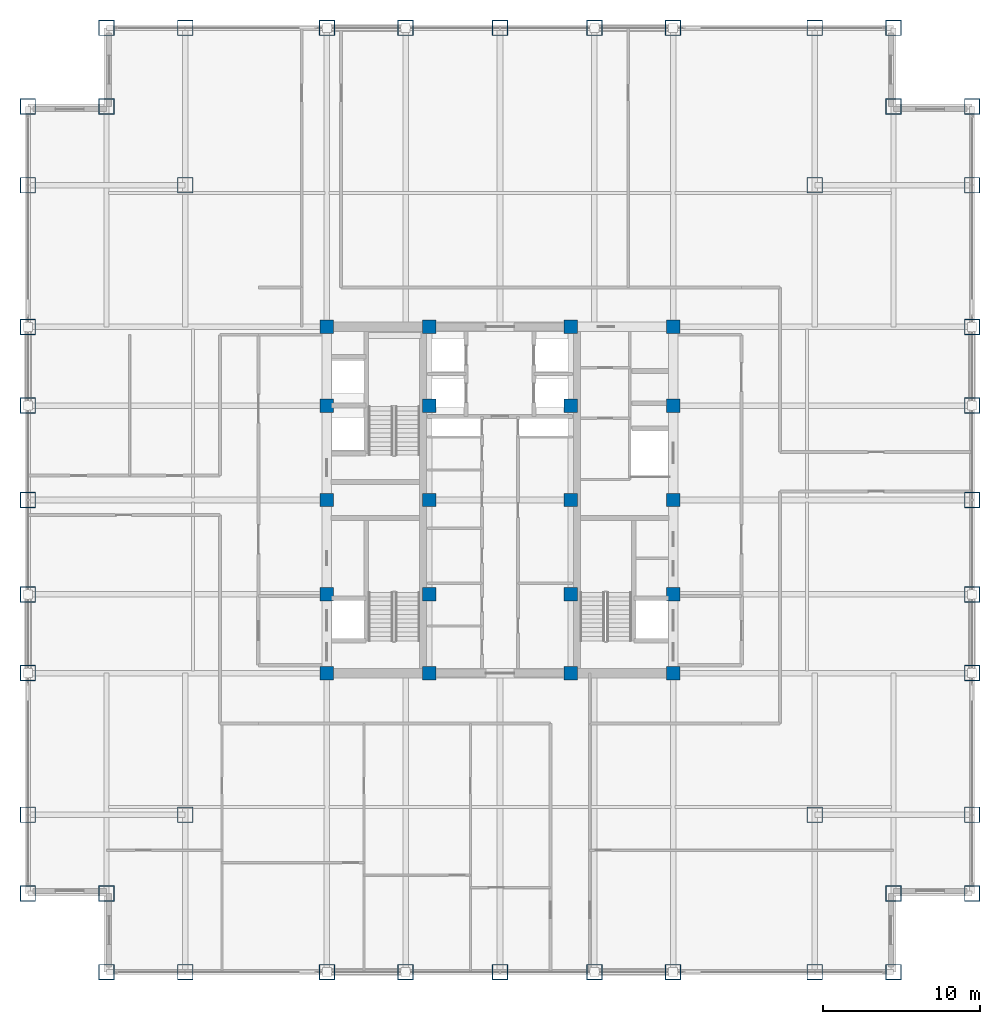
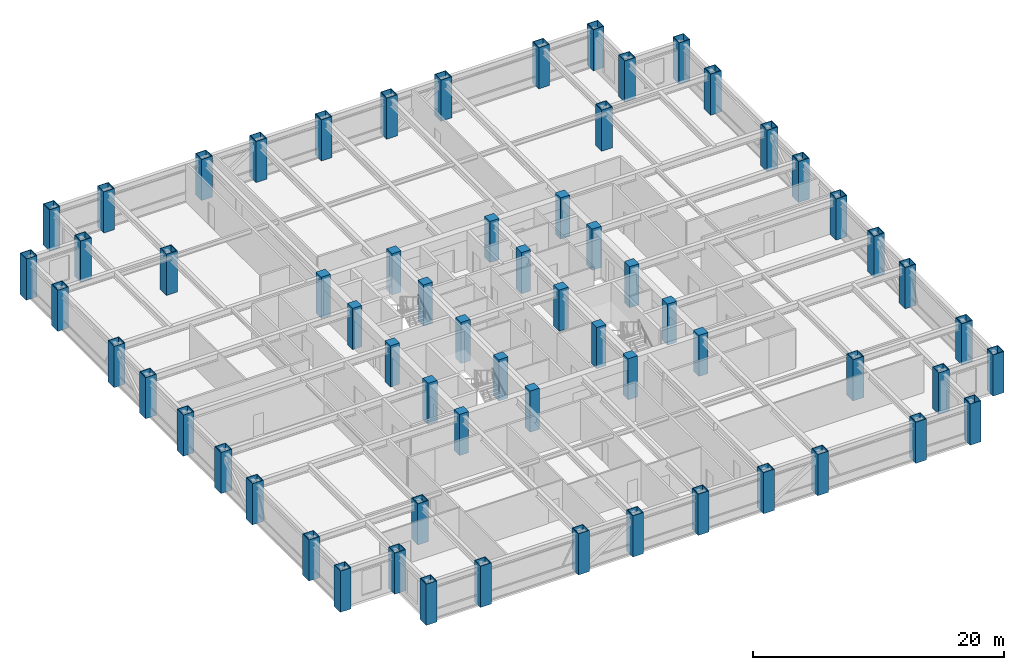
# One storey, part 1 of 24: 64 columns.
"""IFC4 building model written with IfcOpenShell, lengths in metres."""

import ifcopenshell
import ifcopenshell.guid

model = None  # the IFC model being written
_history = None  # IfcOwnerHistory: only IFC2X3 demands one
_inside = {}  # id of a spatial element -> (the spatial element, [elements in it])
_under = {}  # id of a project, library or spatial element -> (it, [spatial elements below it])
_declared = {}  # id of a project -> (the project, [libraries it declares])
_typed = {}  # id of a type object -> (the type object, [elements of that type])
_made_of = {}  # id of a material, layer set ... -> (it, [elements and type objects made of it])


def new_model(schema):
    """Start an empty IFC model of exactly this schema.

    Asked for "IFC4X3", IfcOpenShell would pick the latest addendum, in which some entities
    have other attributes; the version numbers below select the first issue.
    IFC2X3 requires an IfcOwnerHistory on every rooted entity: one is made here for all.
    """
    global model, _history
    if schema == "IFC4X3":
        model = ifcopenshell.file(schema_version=(4, 3, 0, 0))
    else:
        model = ifcopenshell.file(schema=schema)
    _inside.clear()
    _under.clear()
    _declared.clear()
    _typed.clear()
    _made_of.clear()
    _history = None
    if model.schema == "IFC2X3":
        org = make("IfcOrganization", Name="unknown")
        user = make(
            "IfcPersonAndOrganization",
            ThePerson=make("IfcPerson", FamilyName="unknown"),
            TheOrganization=org,
        )
        app = make(
            "IfcApplication",
            ApplicationDeveloper=org,
            Version="unknown",
            ApplicationFullName="unknown",
            ApplicationIdentifier="unknown",
        )
        _history = make(
            "IfcOwnerHistory",
            OwningUser=user,
            OwningApplication=app,
            ChangeAction="ADDED",
            CreationDate=0,
        )
    return model


def make(cls, **values):
    """One entity of the class cls with the attributes given. An attribute that is None is left unset."""
    return model.create_entity(
        cls, **{name: value for name, value in values.items() if value is not None}
    )


def rooted(cls, **values):
    """An entity with a GlobalId (a new one), such as an element, a storey or a relation."""
    return make(cls, GlobalId=ifcopenshell.guid.new(), OwnerHistory=_history, **values)


def si_unit(unit_type, name, prefix=None):
    """IfcSIUnit, for example si_unit("LENGTHUNIT", "METRE", prefix="MILLI")."""
    return make("IfcSIUnit", UnitType=unit_type, Prefix=prefix, Name=name)


def assignment(units):
    """IfcUnitAssignment: the units of a project."""
    return None if units is None else make("IfcUnitAssignment", Units=units)


def point(xyz):
    """IfcCartesianPoint."""
    return None if xyz is None else make("IfcCartesianPoint", Coordinates=xyz)


def direction(xyz):
    """IfcDirection."""
    return None if xyz is None else make("IfcDirection", DirectionRatios=xyz)


def frame(location, z_axis=None, x_axis=None):
    """IfcAxis2Placement3D, a coordinate frame: its origin and axes. An axis left out is left unset."""
    return make(
        "IfcAxis2Placement3D",
        Location=point(location),
        Axis=direction(z_axis),
        RefDirection=direction(x_axis),
    )


def frame_2d(location, x_axis=None):
    """IfcAxis2Placement2D, a coordinate frame in the plane: its origin and x axis."""
    return make(
        "IfcAxis2Placement2D", Location=point(location), RefDirection=direction(x_axis)
    )


def origin():
    """The frame at (0, 0, 0) with its axes left unset."""
    return frame((0.0, 0.0, 0.0))


def origin_2d():
    """The frame at (0, 0) in the plane with its x axis left unset."""
    return frame_2d((0.0, 0.0))


def place(relative_to, where):
    """IfcLocalPlacement: puts the frame where relative to a parent placement (None: the world)."""
    return make(
        "IfcLocalPlacement", PlacementRelTo=relative_to, RelativePlacement=where
    )


def context(
    kind, dimensions, precision=None, world=None, true_north=None, identifier=None
):
    """IfcGeometricRepresentationContext, for example the 3D "Model" context."""
    return make(
        "IfcGeometricRepresentationContext",
        ContextIdentifier=identifier,
        ContextType=kind,
        CoordinateSpaceDimension=dimensions,
        Precision=precision,
        WorldCoordinateSystem=world,
        TrueNorth=true_north,
    )


def subcontext(parent, identifier, kind, view, scale=None):
    """IfcGeometricRepresentationSubContext, for example "Body" below "Model"."""
    return make(
        "IfcGeometricRepresentationSubContext",
        ContextIdentifier=identifier,
        ContextType=kind,
        ParentContext=parent,
        TargetScale=scale,
        TargetView=view,
    )


def project(units=None, contexts=None):
    """IfcProject with its units and contexts."""
    return rooted(
        "IfcProject",
        Name="project",
        RepresentationContexts=contexts,
        UnitsInContext=assignment(units),
    )


def spatial(cls, under=None, at=None, **own):
    """A site, building, storey or space (cls), placed at a placement, below another one or the project."""
    s = rooted(cls, ObjectPlacement=at, **own)
    if under is not None:
        _under.setdefault(under.id(), (under, []))[1].append(s)
    return s


def profile(cls, at=None, kind="AREA", **sizes):
    """A parametric profile (cls). Its sizes go by their IFC names, for example OverallWidth=200.0."""
    return make(cls, ProfileType=kind, Position=at, **sizes)


def rectangle(**sizes):
    """IfcRectangleProfileDef."""
    return profile("IfcRectangleProfileDef", **sizes)


def hollow_rectangle(**sizes):
    """IfcRectangleHollowProfileDef."""
    return profile("IfcRectangleHollowProfileDef", **sizes)


def extrude(swept, where, along, depth):
    """IfcExtrudedAreaSolid: the profile swept, set in the frame where, extruded along a direction by depth."""
    return make(
        "IfcExtrudedAreaSolid",
        SweptArea=swept,
        Position=where,
        ExtrudedDirection=direction(along),
        Depth=depth,
    )


def shape(context_of_items, identifier, shape_type, items):
    """IfcShapeRepresentation: the items that make up one representation, for example the "Body"."""
    return make(
        "IfcShapeRepresentation",
        ContextOfItems=context_of_items,
        RepresentationIdentifier=identifier,
        RepresentationType=shape_type,
        Items=items,
    )


def source(mapping_origin, context_of_items, identifier, shape_type, items):
    """IfcRepresentationMap: a shape defined once, which mapped items show again and again."""
    return make(
        "IfcRepresentationMap",
        MappingOrigin=mapping_origin,
        MappedRepresentation=shape(context_of_items, identifier, shape_type, items),
    )


def transform(
    local_origin,
    x_axis=None,
    y_axis=None,
    z_axis=None,
    scale=None,
    scale2=None,
    scale3=None,
    uniform=True,
):
    """IfcCartesianTransformationOperator3D, or its non-uniform kind. x_axis, y_axis, z_axis: its Axis1, 2, 3."""
    if uniform:
        return make(
            "IfcCartesianTransformationOperator3D",
            Axis1=direction(x_axis),
            Axis2=direction(y_axis),
            LocalOrigin=point(local_origin),
            Scale=scale,
            Axis3=direction(z_axis),
        )
    return make(
        "IfcCartesianTransformationOperator3DnonUniform",
        Axis1=direction(x_axis),
        Axis2=direction(y_axis),
        LocalOrigin=point(local_origin),
        Scale=scale,
        Axis3=direction(z_axis),
        Scale2=scale2,
        Scale3=scale3,
    )


def mapped(mapping_source, mapping_target):
    """IfcMappedItem: shows the shape of a source again, moved by a transform."""
    return make(
        "IfcMappedItem", MappingSource=mapping_source, MappingTarget=mapping_target
    )


def material(Name=None, Category=None):
    """IfcMaterial."""
    return make("IfcMaterial", Name=Name, Category=Category)


def material_profile(
    of_material, cross_section, Name=None, Category=None, Priority=None
):
    """IfcMaterialProfile: a cross section and its material."""
    return make(
        "IfcMaterialProfile",
        Name=Name,
        Material=of_material,
        Profile=cross_section,
        Priority=Priority,
        Category=Category,
    )


def profile_set(profiles, Name=None, composite=None):
    """IfcMaterialProfileSet."""
    return make(
        "IfcMaterialProfileSet",
        Name=Name,
        MaterialProfiles=profiles,
        CompositeProfile=composite,
    )


def made_of(thing, what):
    """Note that an element or type object is made of a material, layer set ...; save() writes the relation."""
    if what is not None:
        _made_of.setdefault(what.id(), (what, []))[1].append(thing)
    return thing


def type_object(cls, material=None, **own):
    """A type object (cls), such as IfcWallType, which elements share."""
    return made_of(rooted(cls, **own), material)


def element(
    cls,
    number,
    at=None,
    inside=None,
    cuts=None,
    type_object=None,
    material=None,
    context=None,
    identifier="Body",
    shape_type=None,
    held_by="IfcProductDefinitionShape",
    body=None,
    shapes=None,
    **own,
):
    """One element of the class cls, such as IfcWall. Its Tag is "e" and its number.

    at: its placement. inside: the storey or other place that contains it. cuts: it is an
    opening in that element (IfcRelVoidsElement). A single representation is given by context,
    identifier, shape_type and body (its items); several are given by shapes. held_by: the class
    of the entity that holds the representations. save() writes the other relations.
    """
    e = rooted(cls, Tag="e%d" % number, ObjectPlacement=at, **own)
    if body is not None:
        shapes = [shape(context, identifier, shape_type, body)]
    if shapes is not None:
        e.Representation = make(held_by, Representations=shapes)
    if inside is not None:
        _inside.setdefault(inside.id(), (inside, []))[1].append(e)
    if cuts is not None:
        rooted(
            "IfcRelVoidsElement", RelatingBuildingElement=cuts, RelatedOpeningElement=e
        )
    if type_object is not None:
        _typed.setdefault(type_object.id(), (type_object, []))[1].append(e)
    return made_of(e, material)


def aggregate(whole, parts):
    """IfcRelAggregates: a whole, such as a stair, and the parts it consists of."""
    return rooted("IfcRelAggregates", RelatingObject=whole, RelatedObjects=parts)


def save(model, path):
    """Write the relations noted so far, then the file.

    IfcRelAggregates (storeys below a building ...), IfcRelContainedInSpatialStructure (elements
    in a storey), IfcRelDefinesByType, IfcRelAssociatesMaterial and IfcRelDeclares: one each for
    every whole, place, type object, material and project.
    """
    for whole, parts in _under.values():
        aggregate(whole, parts)
    for where, things in _inside.values():
        rooted(
            "IfcRelContainedInSpatialStructure",
            RelatedElements=things,
            RelatingStructure=where,
        )
    for kind, things in _typed.values():
        rooted("IfcRelDefinesByType", RelatedObjects=things, RelatingType=kind)
    for what, things in _made_of.values():
        rooted("IfcRelAssociatesMaterial", RelatedObjects=things, RelatingMaterial=what)
    for by, libraries in _declared.values():
        rooted("IfcRelDeclares", RelatingContext=by, RelatedDefinitions=libraries)
    model.write(path)


model = new_model("IFC4")

# Units and contexts
model_context = context("Model", 3, precision=1e-05, world=origin(), true_north=direction((0.0, 1.0)))
body_context = subcontext(model_context, "Body", "Model", "MODEL_VIEW")
ifc_project = project(units=[si_unit("LENGTHUNIT", "METRE"), si_unit("AREAUNIT", "SQUARE_METRE"), si_unit("VOLUMEUNIT", "CUBIC_METRE"), si_unit("PLANEANGLEUNIT", "RADIAN"), si_unit("MASSUNIT", "GRAM", prefix="KILO")], contexts=[model_context])

# Site, building, storey
site_placement = place(None, origin())
site = spatial("IfcSite", under=ifc_project, at=site_placement, CompositionType="ELEMENT")
building_placement = place(site_placement, origin())
building = spatial("IfcBuilding", under=site, at=building_placement, Name="Khorayat Bourse Tower", CompositionType="ELEMENT")
storey_placement = place(building_placement, frame((0.0, 0.0, 219.10009765625)))
storey = spatial("IfcBuildingStorey", under=building, at=storey_placement, Name="L51", CompositionType="ELEMENT", Elevation=219.10009765625)

# Columns
ifc_material_1 = material(Name="Concrete C60/75", Category="concrete")
ifc_material_profile_1 = material_profile(ifc_material_1, rectangle(XDim=0.85009765625, YDim=0.85009765625, at=origin_2d()), Name="RC 850x850")
ifc_profile_set_1 = profile_set([ifc_material_profile_1], Name="Concrete C60/75")
column_type_1 = type_object("IfcColumnType", Name="COL-CORE-850", PredefinedType="COLUMN", material=ifc_profile_set_1)
shared_shape_1 = source(origin(), body_context, "Body", "SweptSolid", [
    extrude(rectangle(XDim=0.85009765625, YDim=0.85009765625, at=origin_2d()), origin(), (0.0, 0.0, 1.0), 4.0),
])
for number, where, z_axis, x_axis, name in (
    (1, (-11.0, -11.0, 0.0), (0.0, 0.0, 1.0), (1.0, 0.0, 0.0), "L51 Column 019"),
    (2, (-11.0, -6.0, 0.0), (0.0, 0.0, 1.0), (1.0, 0.0, 0.0), "L51 Column 020"),
    (3, (-11.0, 0.0, 0.0), (0.0, 0.0, 1.0), (1.0, 0.0, 0.0), "L51 Column 021"),
    (4, (-11.0, 6.0, 0.0), (0.0, 0.0, 1.0), (1.0, 0.0, 0.0), "L51 Column 022"),
    (5, (-11.0, 11.0, 0.0), (0.0, 0.0, 1.0), (1.0, 0.0, 0.0), "L51 Column 023"),
    (6, (-4.5, -11.0, 0.0), (0.0, 0.0, 1.0), (1.0, 0.0, 0.0), "L51 Column 027"),
    (7, (-4.5, -6.0, 0.0), (0.0, 0.0, 1.0), (1.0, 0.0, 0.0), "L51 Column 028"),
    (8, (-4.5, 0.0, 0.0), (0.0, 0.0, 1.0), (1.0, 0.0, 0.0), "L51 Column 029"),
    (9, (-4.5, 6.0, 0.0), (0.0, 0.0, 1.0), (1.0, 0.0, 0.0), "L51 Column 030"),
    (10, (-4.5, 11.0, 0.0), (0.0, 0.0, 1.0), (1.0, 0.0, 0.0), "L51 Column 031"),
    (11, (4.5, -11.0, 0.0), (0.0, 0.0, 1.0), (1.0, 0.0, 0.0), "L51 Column 034"),
    (12, (4.5, -6.0, 0.0), (0.0, 0.0, 1.0), (1.0, 0.0, 0.0), "L51 Column 035"),
    (13, (4.5, 0.0, 0.0), (0.0, 0.0, 1.0), (1.0, 0.0, 0.0), "L51 Column 036"),
    (14, (4.5, 6.0, 0.0), (0.0, 0.0, 1.0), (1.0, 0.0, 0.0), "L51 Column 037"),
    (15, (4.5, 11.0, 0.0), (0.0, 0.0, 1.0), (1.0, 0.0, 0.0), "L51 Column 038"),
    (16, (11.0, -11.0, 0.0), (0.0, 0.0, 1.0), (1.0, 0.0, 0.0), "L51 Column 042"),
    (17, (11.0, -6.0, 0.0), (0.0, 0.0, 1.0), (1.0, 0.0, 0.0), "L51 Column 043"),
    (18, (11.0, 0.0, 0.0), (0.0, 0.0, 1.0), (1.0, 0.0, 0.0), "L51 Column 044"),
    (19, (11.0, 6.0, 0.0), (0.0, 0.0, 1.0), (1.0, 0.0, 0.0), "L51 Column 045"),
    (20, (11.0, 11.0, 0.0), (0.0, 0.0, 1.0), (1.0, 0.0, 0.0), "L51 Column 046"),
):
    element("IfcColumn", number, at=place(storey_placement, frame(where, z_axis=z_axis, x_axis=x_axis)), inside=storey, type_object=column_type_1, Name=name, PredefinedType="COLUMN", context=body_context, shape_type="MappedRepresentation", body=[
        mapped(shared_shape_1, transform((0.0, 0.0, 0.0), scale=1.0)),
    ])
ifc_material_2 = material(Name="Steel EN 10025-4 S460M", Category="steel")
ifc_material_profile_2 = material_profile(ifc_material_2, hollow_rectangle(XDim=1.0, YDim=1.0, WallThickness=0.054931640625, at=origin_2d()), Name="BOX 1000x1000x55")
ifc_profile_set_2 = profile_set([ifc_material_profile_2], Name="Steel EN 10025-4 S460M")
column_type_2 = type_object("IfcColumnType", Name="COL-TUBE-1000", PredefinedType="COLUMN", material=ifc_profile_set_2)
shared_shape_2 = source(origin(), body_context, "Body", "SweptSolid", [
    extrude(hollow_rectangle(XDim=1.0, YDim=1.0, WallThickness=0.054931640625, at=origin_2d()), origin(), (0.0, 0.0, 1.0), 4.0),
])
for number, where, z_axis, x_axis, name in (
    (21, (-30.0, -25.0, 0.0), (0.0, 0.0, 1.0), (1.0, 0.0, 0.0), "L51 Column 001"),
    (22, (-30.0, -20.0, 0.0), (0.0, 0.0, 1.0), (1.0, 0.0, 0.0), "L51 Column 002"),
    (23, (-30.0, -11.0, 0.0), (0.0, 0.0, 1.0), (1.0, 0.0, 0.0), "L51 Column 003"),
    (24, (-30.0, -6.0, 0.0), (0.0, 0.0, 1.0), (1.0, 0.0, 0.0), "L51 Column 004"),
    (25, (-30.0, 0.0, 0.0), (0.0, 0.0, 1.0), (1.0, 0.0, 0.0), "L51 Column 005"),
    (26, (-30.0, 6.0, 0.0), (0.0, 0.0, 1.0), (1.0, 0.0, 0.0), "L51 Column 006"),
    (27, (-30.0, 11.0, 0.0), (0.0, 0.0, 1.0), (1.0, 0.0, 0.0), "L51 Column 007"),
    (28, (-30.0, 20.0, 0.0), (0.0, 0.0, 1.0), (1.0, 0.0, 0.0), "L51 Column 008"),
    (29, (-30.0, 25.0, 0.0), (0.0, 0.0, 1.0), (1.0, 0.0, 0.0), "L51 Column 009"),
    (30, (-25.0, -30.0, 0.0), (0.0, 0.0, 1.0), (1.0, 0.0, 0.0), "L51 Column 010"),
    (31, (-25.0, -25.0, 0.0), (0.0, 0.0, 1.0), (1.0, 0.0, 0.0), "L51 Column 011"),
    (32, (-25.0, 25.0, 0.0), (0.0, 0.0, 1.0), (1.0, 0.0, 0.0), "L51 Column 012"),
    (33, (-25.0, 30.0, 0.0), (0.0, 0.0, 1.0), (1.0, 0.0, 0.0), "L51 Column 013"),
    (34, (-20.0, -30.0, 0.0), (0.0, 0.0, 1.0), (1.0, 0.0, 0.0), "L51 Column 014"),
    (35, (-20.0, -20.0, 0.0), (0.0, 0.0, 1.0), (1.0, 0.0, 0.0), "L51 Column 015"),
    (36, (-20.0, 20.0, 0.0), (0.0, 0.0, 1.0), (1.0, 0.0, 0.0), "L51 Column 016"),
    (37, (-20.0, 30.0, 0.0), (0.0, 0.0, 1.0), (1.0, 0.0, 0.0), "L51 Column 017"),
    (38, (-11.0, -30.0, 0.0), (0.0, 0.0, 1.0), (1.0, 0.0, 0.0), "L51 Column 018"),
    (39, (-11.0, 30.0, 0.0), (0.0, 0.0, 1.0), (1.0, 0.0, 0.0), "L51 Column 024"),
    (40, (-6.0, -30.0, 0.0), (0.0, 0.0, 1.0), (1.0, 0.0, 0.0), "L51 Column 025"),
    (41, (-6.0, 30.0, 0.0), (0.0, 0.0, 1.0), (1.0, 0.0, 0.0), "L51 Column 026"),
    (42, (0.0, -30.0, 0.0), (0.0, 0.0, 1.0), (1.0, 0.0, 0.0), "L51 Column 032"),
    (43, (0.0, 30.0, 0.0), (0.0, 0.0, 1.0), (1.0, 0.0, 0.0), "L51 Column 033"),
    (44, (6.0, -30.0, 0.0), (0.0, 0.0, 1.0), (1.0, 0.0, 0.0), "L51 Column 039"),
    (45, (6.0, 30.0, 0.0), (0.0, 0.0, 1.0), (1.0, 0.0, 0.0), "L51 Column 040"),
    (46, (11.0, -30.0, 0.0), (0.0, 0.0, 1.0), (1.0, 0.0, 0.0), "L51 Column 041"),
    (47, (11.0, 30.0, 0.0), (0.0, 0.0, 1.0), (1.0, 0.0, 0.0), "L51 Column 047"),
    (48, (20.0, -30.0, 0.0), (0.0, 0.0, 1.0), (1.0, 0.0, 0.0), "L51 Column 048"),
    (49, (20.0, -20.0, 0.0), (0.0, 0.0, 1.0), (1.0, 0.0, 0.0), "L51 Column 049"),
    (50, (20.0, 20.0, 0.0), (0.0, 0.0, 1.0), (1.0, 0.0, 0.0), "L51 Column 050"),
    (51, (20.0, 30.0, 0.0), (0.0, 0.0, 1.0), (1.0, 0.0, 0.0), "L51 Column 051"),
    (52, (25.0, -30.0, 0.0), (0.0, 0.0, 1.0), (1.0, 0.0, 0.0), "L51 Column 052"),
    (53, (25.0, -25.0, 0.0), (0.0, 0.0, 1.0), (1.0, 0.0, 0.0), "L51 Column 053"),
    (54, (25.0, 25.0, 0.0), (0.0, 0.0, 1.0), (1.0, 0.0, 0.0), "L51 Column 054"),
    (55, (25.0, 30.0, 0.0), (0.0, 0.0, 1.0), (1.0, 0.0, 0.0), "L51 Column 055"),
    (56, (30.0, -25.0, 0.0), (0.0, 0.0, 1.0), (1.0, 0.0, 0.0), "L51 Column 056"),
    (57, (30.0, -20.0, 0.0), (0.0, 0.0, 1.0), (1.0, 0.0, 0.0), "L51 Column 057"),
    (58, (30.0, -11.0, 0.0), (0.0, 0.0, 1.0), (1.0, 0.0, 0.0), "L51 Column 058"),
    (59, (30.0, -6.0, 0.0), (0.0, 0.0, 1.0), (1.0, 0.0, 0.0), "L51 Column 059"),
    (60, (30.0, 0.0, 0.0), (0.0, 0.0, 1.0), (1.0, 0.0, 0.0), "L51 Column 060"),
    (61, (30.0, 6.0, 0.0), (0.0, 0.0, 1.0), (1.0, 0.0, 0.0), "L51 Column 061"),
    (62, (30.0, 11.0, 0.0), (0.0, 0.0, 1.0), (1.0, 0.0, 0.0), "L51 Column 062"),
    (63, (30.0, 20.0, 0.0), (0.0, 0.0, 1.0), (1.0, 0.0, 0.0), "L51 Column 063"),
    (64, (30.0, 25.0, 0.0), (0.0, 0.0, 1.0), (1.0, 0.0, 0.0), "L51 Column 064"),
):
    element("IfcColumn", number, at=place(storey_placement, frame(where, z_axis=z_axis, x_axis=x_axis)), inside=storey, type_object=column_type_2, Name=name, PredefinedType="COLUMN", context=body_context, shape_type="MappedRepresentation", body=[
        mapped(shared_shape_2, transform((0.0, 0.0, 0.0), scale=1.0)),
    ])

save(model, "model.ifc")
